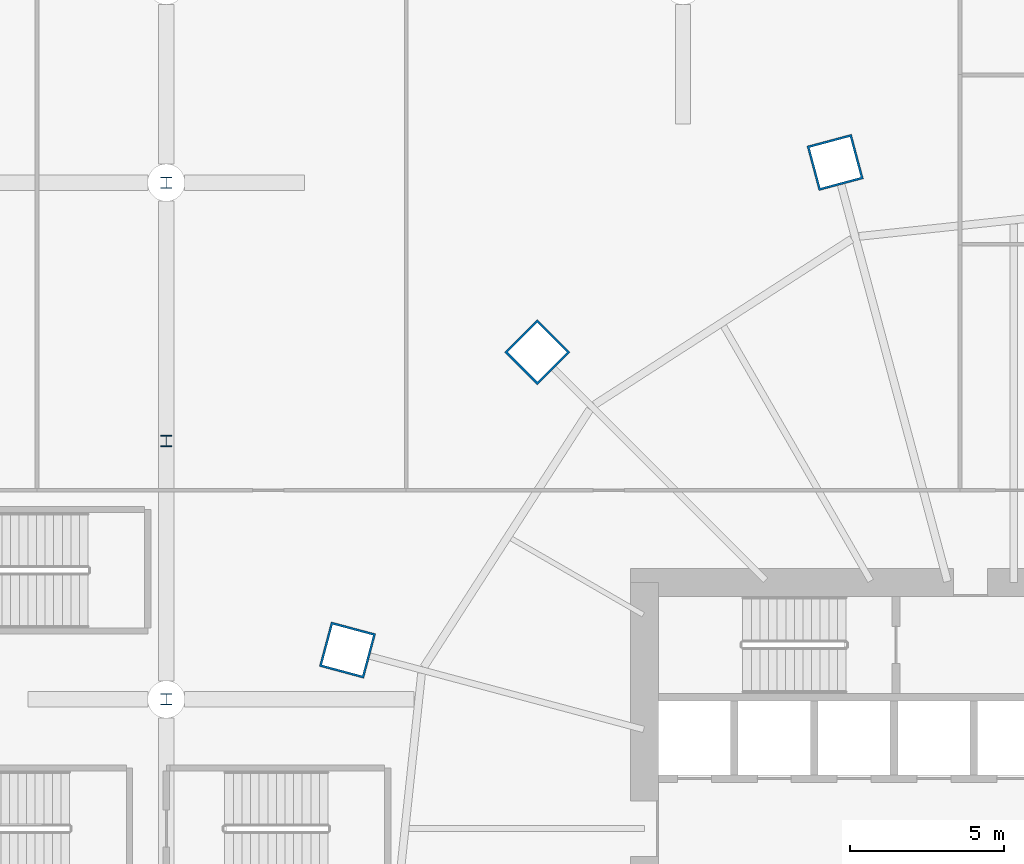
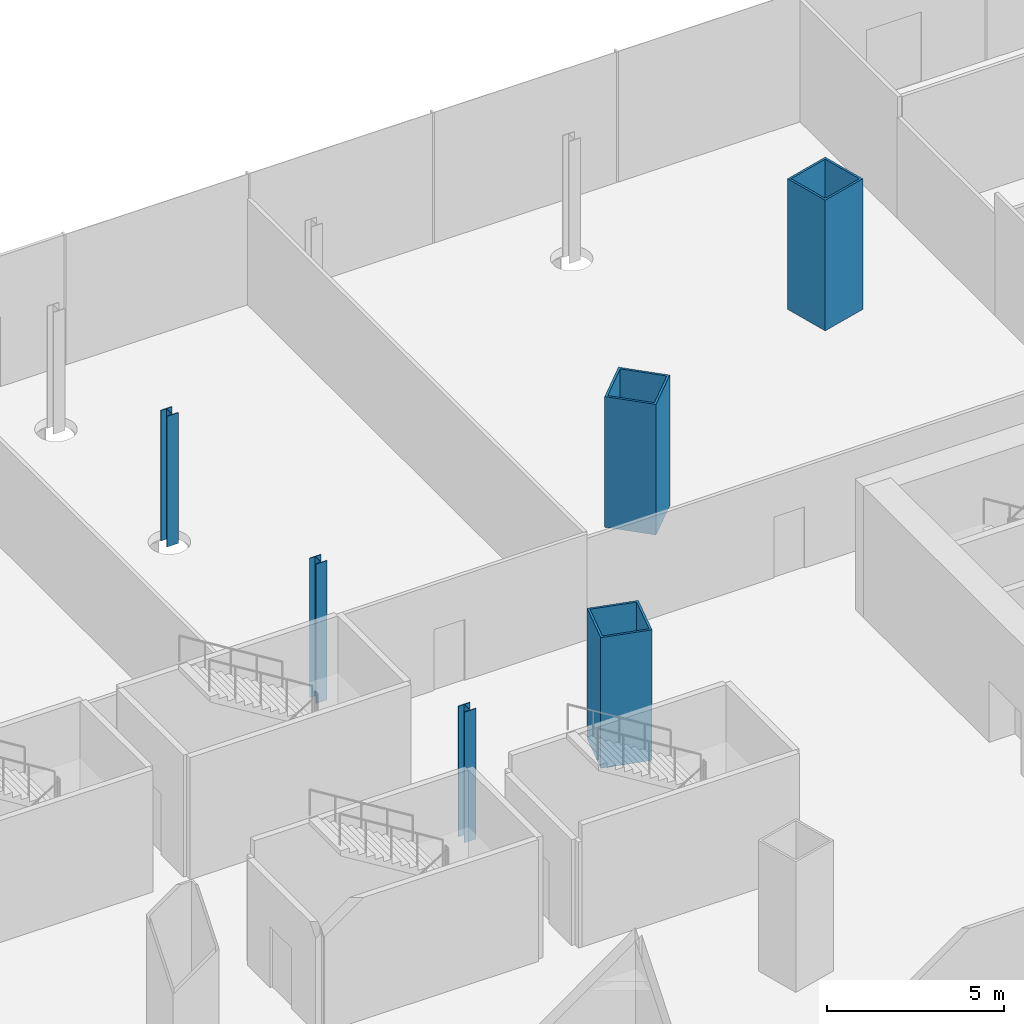
# One storey, part 7 of 56: 6 columns.
"""IFC4 building model written with IfcOpenShell, lengths in metres."""

from ifc_helpers import new_model, si_unit, direction, frame, origin, origin_2d, place, context, subcontext, project, spatial, hollow_rectangle, i_section, extrude, material, material_profile, profile_set, type_object, element, save


model = new_model("IFC4")

# Units and contexts
model_context = context("Model", 3, precision=1e-05, world=origin(), true_north=direction((0.0, 1.0)))
body_context = subcontext(model_context, "Body", "Model", "MODEL_VIEW")
ifc_project = project(units=[si_unit("LENGTHUNIT", "METRE"), si_unit("AREAUNIT", "SQUARE_METRE"), si_unit("VOLUMEUNIT", "CUBIC_METRE"), si_unit("PLANEANGLEUNIT", "RADIAN"), si_unit("MASSUNIT", "GRAM", prefix="KILO")], contexts=[model_context])

# Site, building, storey
site_placement = place(None, origin())
site = spatial("IfcSite", under=ifc_project, at=site_placement, CompositionType="ELEMENT")
building_placement = place(site_placement, origin())
building = spatial("IfcBuilding", under=site, at=building_placement, Name="Rimbun Link Towers", CompositionType="ELEMENT")
storey_placement = place(building_placement, frame((0.0, 0.0, 16.5)))
storey = spatial("IfcBuildingStorey", under=building, at=storey_placement, Name="L03", CompositionType="ELEMENT", Elevation=16.5)

# Columns
ifc_material_1 = material(Name="Steel S460N", Category="steel")
ifc_material_profile_1 = material_profile(ifc_material_1, hollow_rectangle(XDim=1.5, YDim=1.5, WallThickness=0.070068359375, at=origin_2d()), Name="BOX 1500x1500x70")
ifc_profile_set_1 = profile_set([ifc_material_profile_1], Name="Steel S460N")
column_type_1 = type_object("IfcColumnType", Name="BOX 1500x1500x70", PredefinedType="COLUMN", material=ifc_profile_set_1)
for number, where, z_axis, x_axis, name in (
    (1, (25.94677734375, 21.658203125, 0.0), (0.0, 0.0, 1.0), (-0.258819045103, 0.965925826289, 0.0), "Mega column T2 L03 04"),
    (2, (16.261474609375, 15.488525390625, 0.0), (0.0, 0.0, 1.0), (-0.707106781187, 0.707106781187, 0.0), "Mega column T2 L03 06"),
    (3, (10.091796875, 5.80322265625, 0.0), (0.0, 0.0, 1.0), (-0.965925826289, 0.258819045103, 0.0), "Mega column T2 L03 08"),
):
    element("IfcColumn", number, at=place(storey_placement, frame(where, z_axis=z_axis, x_axis=x_axis)), inside=storey, type_object=column_type_1, Name=name, PredefinedType="COLUMN", context=body_context, shape_type="SweptSolid", body=[
        extrude(hollow_rectangle(XDim=1.5, YDim=1.5, WallThickness=0.070068359375, at=origin_2d()), origin(), (0.0, 0.0, 1.0), 4.5),
    ])
ifc_material_2 = material(Name="Steel S355J2", Category="steel")
ifc_material_profile_2 = material_profile(ifc_material_2, i_section(OverallWidth=0.37060546875, OverallDepth=0.362060546875, WebThickness=0.01220703125, FlangeThickness=0.020751953125, at=origin_2d()), Name="UC 356x368x153")
ifc_profile_set_2 = profile_set([ifc_material_profile_2], Name="Steel S355J2")
column_type_2 = type_object("IfcColumnType", Name="UC 356x368x153", PredefinedType="COLUMN", material=ifc_profile_set_2)
column_1_placement = place(storey_placement, frame((4.199951171875, 4.199951171875, 0.0), z_axis=(0.0, 0.0, 1.0), x_axis=(1.0, 0.0, 0.0)))
element("IfcColumn", 4, at=column_1_placement, inside=storey, type_object=column_type_2, Name="Column L03 +4.2 +4.2", PredefinedType="COLUMN", context=body_context, shape_type="SweptSolid", body=[
    extrude(i_section(OverallWidth=0.37060546875, OverallDepth=0.362060546875, WebThickness=0.01220703125, FlangeThickness=0.020751953125, at=origin_2d()), origin(), (0.0, 0.0, 1.0), 4.5),
])
column_2_placement = place(storey_placement, frame((4.199951171875, 12.60009765625, -0.300048828125), z_axis=(0.0, 0.0, 1.0), x_axis=(1.0, 0.0, 0.0)))
element("IfcColumn", 5, at=column_2_placement, inside=storey, type_object=column_type_2, Name="Column L03 +4.2 +12.6", PredefinedType="COLUMN", context=body_context, shape_type="SweptSolid", body=[
    extrude(i_section(OverallWidth=0.37060546875, OverallDepth=0.362060546875, WebThickness=0.01220703125, FlangeThickness=0.020751953125, at=origin_2d()), origin(), (0.0, 0.0, 1.0), 4.800048828125),
])
column_3_placement = place(storey_placement, frame((4.199951171875, 21.0, 0.0), z_axis=(0.0, 0.0, 1.0), x_axis=(1.0, 0.0, 0.0)))
element("IfcColumn", 6, at=column_3_placement, inside=storey, type_object=column_type_2, Name="Column L03 +4.2 +21.0", PredefinedType="COLUMN", context=body_context, shape_type="SweptSolid", body=[
    extrude(i_section(OverallWidth=0.37060546875, OverallDepth=0.362060546875, WebThickness=0.01220703125, FlangeThickness=0.020751953125, at=origin_2d()), origin(), (0.0, 0.0, 1.0), 4.5),
])

save(model, "model.ifc")
